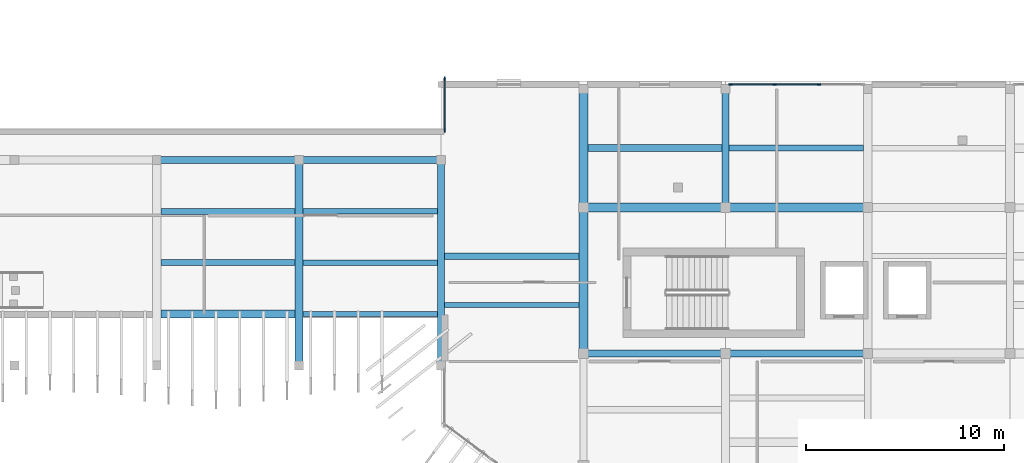
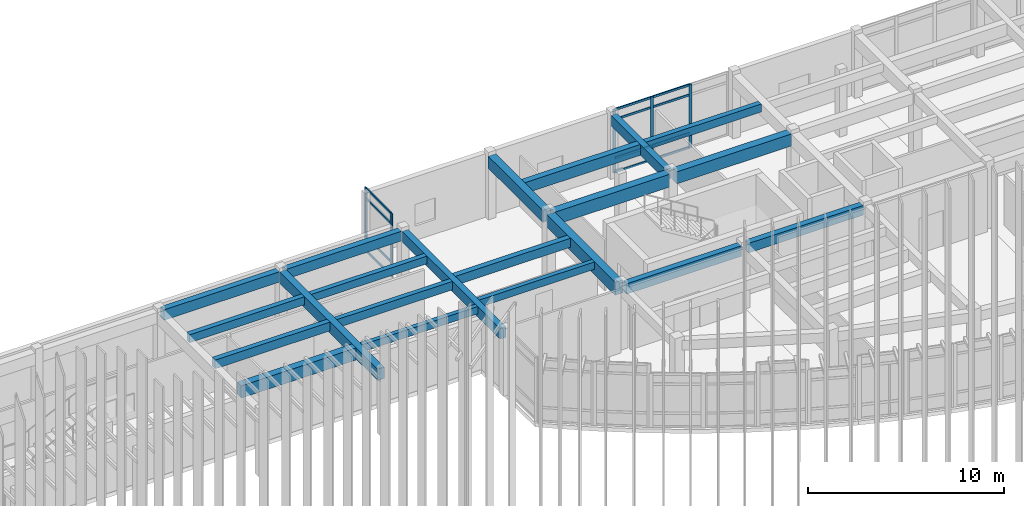
# One storey, part 15 of 47: 21 beams, 17 members, 2 elements without a shape of their own.
"""IFC4 building model written with IfcOpenShell, lengths in metres."""

from ifc_helpers import new_model, si_unit, direction, frame, origin, origin_2d, place, context, subcontext, project, spatial, rectangle, extrude, material, layer, layer_set, material_profile, profile_set, type_object, element, aggregate, save


model = new_model("IFC4")

# Units and contexts
model_context = context("Model", 3, precision=1e-05, world=origin(), true_north=direction((0.0, 1.0)))
body_context = subcontext(model_context, "Body", "Model", "MODEL_VIEW")
ifc_project = project(units=[si_unit("LENGTHUNIT", "METRE"), si_unit("AREAUNIT", "SQUARE_METRE"), si_unit("VOLUMEUNIT", "CUBIC_METRE"), si_unit("PLANEANGLEUNIT", "RADIAN"), si_unit("MASSUNIT", "GRAM", prefix="KILO")], contexts=[model_context])

# Site, building, storey
site_placement = place(None, origin())
site = spatial("IfcSite", under=ifc_project, at=site_placement, CompositionType="ELEMENT")
building_placement = place(site_placement, origin())
building = spatial("IfcBuilding", under=site, at=building_placement, Name="Brisavento Harbour Community Centre", CompositionType="ELEMENT")
storey_placement = place(building_placement, frame((0.0, 0.0, 8.699951171875)))
storey = spatial("IfcBuildingStorey", under=building, at=storey_placement, Name="L02", CompositionType="ELEMENT", Elevation=8.699951171875)

# Beams
ifc_material_1 = material(Name="Concrete C35/45", Category="concrete")
ifc_material_profile_1 = material_profile(ifc_material_1, rectangle(XDim=0.25, YDim=0.449951171875, at=origin_2d()), Name="Concrete C35/45")
ifc_profile_set_1 = profile_set([ifc_material_profile_1], Name="Concrete C35/45")
beam_type_1 = type_object("IfcBeamType", Name="BM-JST-250x450", PredefinedType="JOIST", material=ifc_profile_set_1)
beam_1_placement = place(storey_placement, frame((101.0, 17.0, 3.735107421875), z_axis=(1.0, 0.0, 0.0), x_axis=(0.0, 1.0, 0.0)))
element("IfcBeam", 1, at=beam_1_placement, inside=storey, type_object=beam_type_1, Name="L02 secondary floor joist 0288", PredefinedType="JOIST", context=body_context, shape_type="SweptSolid", body=[
    extrude(rectangle(XDim=0.25, YDim=0.449951171875, at=origin_2d()), origin(), (0.0, 0.0, 1.0), 6.824951171875),
])
ifc_material_profile_2 = material_profile(ifc_material_1, rectangle(XDim=0.260009765625, YDim=0.4599609375, at=origin_2d()), Name="Concrete C35/45")
ifc_profile_set_2 = profile_set([ifc_material_profile_2], Name="Concrete C35/45")
beam_type_2 = type_object("IfcBeamType", Name="BM-JST-260x460", PredefinedType="JOIST", material=ifc_profile_set_2)
beam_2_placement = place(storey_placement, frame((108.175048828125, 17.466796875, 3.72998046875), z_axis=(1.0, 0.0, 0.0), x_axis=(0.0, 1.0, 0.0)))
element("IfcBeam", 2, at=beam_2_placement, inside=storey, type_object=beam_type_2, Name="L02 secondary floor joist 0291", PredefinedType="JOIST", context=body_context, shape_type="SweptSolid", body=[
    extrude(rectangle(XDim=0.260009765625, YDim=0.4599609375, at=origin_2d()), origin(), (0.0, 0.0, 1.0), 6.800048828125),
])
ifc_material_profile_3 = material_profile(ifc_material_1, rectangle(XDim=0.280029296875, YDim=0.47998046875, at=origin_2d()), Name="Concrete C35/45")
ifc_profile_set_3 = profile_set([ifc_material_profile_3], Name="Concrete C35/45")
beam_type_3 = type_object("IfcBeamType", Name="BM-JST-280x480", PredefinedType="JOIST", material=ifc_profile_set_3)
beam_3_placement = place(storey_placement, frame((101.0, 22.199951171875, 3.719970703125), z_axis=(1.0, 0.0, 0.0), x_axis=(0.0, 1.0, 0.0)))
element("IfcBeam", 3, at=beam_3_placement, inside=storey, type_object=beam_type_3, Name="L02 secondary floor joist 0290", PredefinedType="JOIST", context=body_context, shape_type="SweptSolid", body=[
    extrude(rectangle(XDim=0.280029296875, YDim=0.47998046875, at=origin_2d()), origin(), (0.0, 0.0, 1.0), 6.824951171875),
])
ifc_material_profile_4 = material_profile(ifc_material_1, rectangle(XDim=0.280029296875, YDim=0.52001953125, at=origin_2d()), Name="Concrete C35/45")
ifc_profile_set_4 = profile_set([ifc_material_profile_4], Name="Concrete C35/45")
beam_type_4 = type_object("IfcBeamType", Name="BM-JST-280x520", PredefinedType="JOIST", material=ifc_profile_set_4)
beam_4_placement = place(storey_placement, frame((101.0, 19.60009765625, 3.699951171875), z_axis=(1.0, 0.0, 0.0), x_axis=(0.0, 1.0, 0.0)))
element("IfcBeam", 4, at=beam_4_placement, inside=storey, type_object=beam_type_4, Name="L02 secondary floor joist 0289", PredefinedType="JOIST", context=body_context, shape_type="SweptSolid", body=[
    extrude(rectangle(XDim=0.280029296875, YDim=0.52001953125, at=origin_2d()), origin(), (0.0, 0.0, 1.0), 6.824951171875),
])
ifc_material_profile_5 = material_profile(ifc_material_1, rectangle(XDim=0.300048828125, YDim=0.5, at=origin_2d()), Name="Concrete C35/45")
ifc_profile_set_5 = profile_set([ifc_material_profile_5], Name="Concrete C35/45")
beam_type_5 = type_object("IfcBeamType", Name="BM-JST-300x500", PredefinedType="JOIST", material=ifc_profile_set_5)
beam_5_placement = place(storey_placement, frame((93.824951171875, 22.199951171875, 3.7099609375), z_axis=(1.0, 0.0, 0.0), x_axis=(0.0, 1.0, 0.0)))
element("IfcBeam", 5, at=beam_5_placement, inside=storey, type_object=beam_type_5, Name="L02 secondary floor joist 0287", PredefinedType="JOIST", context=body_context, shape_type="SweptSolid", body=[
    extrude(rectangle(XDim=0.300048828125, YDim=0.5, at=origin_2d()), origin(), (0.0, 0.0, 1.0), 6.775146484375),
])
beam_6_placement = place(storey_placement, frame((122.574951171875, 25.39990234375, 3.7099609375), z_axis=(1.0, 0.0, 0.0), x_axis=(0.0, 1.0, 0.0)))
element("IfcBeam", 6, at=beam_6_placement, inside=storey, type_object=beam_type_5, Name="L02 secondary floor joist 0298", PredefinedType="JOIST", context=body_context, shape_type="SweptSolid", body=[
    extrude(rectangle(XDim=0.300048828125, YDim=0.5, at=origin_2d()), origin(), (0.0, 0.0, 1.0), 6.800048828125),
])
ifc_material_profile_6 = material_profile(ifc_material_1, rectangle(XDim=0.300048828125, YDim=0.550048828125, at=origin_2d()), Name="Concrete C35/45")
ifc_profile_set_6 = profile_set([ifc_material_profile_6], Name="Concrete C35/45")
beam_type_6 = type_object("IfcBeamType", Name="BM-JST-300x550", PredefinedType="JOIST", material=ifc_profile_set_6)
beam_7_placement = place(storey_placement, frame((93.824951171875, 19.60009765625, 3.68505859375), z_axis=(1.0, 0.0, 0.0), x_axis=(0.0, 1.0, 0.0)))
element("IfcBeam", 7, at=beam_7_placement, inside=storey, type_object=beam_type_6, Name="L02 secondary floor joist 0286", PredefinedType="JOIST", context=body_context, shape_type="SweptSolid", body=[
    extrude(rectangle(XDim=0.300048828125, YDim=0.550048828125, at=origin_2d()), origin(), (0.0, 0.0, 1.0), 6.775146484375),
])
ifc_material_profile_7 = material_profile(ifc_material_1, rectangle(XDim=0.320068359375, YDim=0.56005859375, at=origin_2d()), Name="Concrete C35/45")
ifc_profile_set_7 = profile_set([ifc_material_profile_7], Name="Concrete C35/45")
beam_type_7 = type_object("IfcBeamType", Name="BM-JST-320x560", PredefinedType="JOIST", material=ifc_profile_set_7)
beam_8_placement = place(storey_placement, frame((108.175048828125, 19.933349609375, 3.679931640625), z_axis=(1.0, 0.0, 0.0), x_axis=(0.0, 1.0, 0.0)))
element("IfcBeam", 8, at=beam_8_placement, inside=storey, type_object=beam_type_7, Name="L02 secondary floor joist 0292", PredefinedType="JOIST", context=body_context, shape_type="SweptSolid", body=[
    extrude(rectangle(XDim=0.320068359375, YDim=0.56005859375, at=origin_2d()), origin(), (0.0, 0.0, 1.0), 6.800048828125),
])
ifc_material_profile_8 = material_profile(ifc_material_1, rectangle(XDim=0.360107421875, YDim=0.679931640625, at=origin_2d()), Name="Concrete C35/45")
ifc_profile_set_8 = profile_set([ifc_material_profile_8], Name="Concrete C35/45")
beam_type_8 = type_object("IfcBeamType", Name="BM-JST-360x680", PredefinedType="JOIST", material=ifc_profile_set_8)
beam_9_placement = place(storey_placement, frame((115.425048828125, 25.39990234375, 3.6201171875), z_axis=(1.0, 0.0, 0.0), x_axis=(0.0, 1.0, 0.0)))
element("IfcBeam", 9, at=beam_9_placement, inside=storey, type_object=beam_type_8, Name="L02 secondary floor joist 0294", PredefinedType="JOIST", context=body_context, shape_type="SweptSolid", body=[
    extrude(rectangle(XDim=0.360107421875, YDim=0.679931640625, at=origin_2d()), origin(), (0.0, 0.0, 1.0), 6.800048828125),
])
ifc_material_profile_9 = material_profile(ifc_material_1, rectangle(XDim=0.419921875, YDim=0.760009765625, at=origin_2d()), Name="Concrete C35/45")
ifc_profile_set_9 = profile_set([ifc_material_profile_9], Name="Concrete C35/45")
beam_type_9 = type_object("IfcBeamType", Name="BM-JST-420x760", PredefinedType="JOIST", material=ifc_profile_set_9)
beam_10_placement = place(storey_placement, frame((93.824951171875, 17.0, 3.580078125), z_axis=(1.0, 0.0, 0.0), x_axis=(0.0, 1.0, 0.0)))
element("IfcBeam", 10, at=beam_10_placement, inside=storey, type_object=beam_type_9, Name="L02 secondary floor joist 0285", PredefinedType="JOIST", context=body_context, shape_type="SweptSolid", body=[
    extrude(rectangle(XDim=0.419921875, YDim=0.760009765625, at=origin_2d()), origin(), (0.0, 0.0, 1.0), 6.775146484375),
])
ifc_material_profile_10 = material_profile(ifc_material_1, rectangle(XDim=0.35009765625, YDim=0.60009765625, at=origin_2d()), Name="Concrete C35/45")
ifc_profile_set_10 = profile_set([ifc_material_profile_10], Name="Concrete C35/45")
beam_type_10 = type_object("IfcBeamType", Name="BM-RC-350x600", PredefinedType="BEAM", material=ifc_profile_set_10)
beam_11_placement = place(storey_placement, frame((122.6201171875, 15.0, 3.66015625), z_axis=(1.0, 0.0, 0.0), x_axis=(0.0, 1.0, 0.0)))
element("IfcBeam", 11, at=beam_11_placement, inside=storey, type_object=beam_type_10, Name="L02 primary girder X0549", PredefinedType="BEAM", context=body_context, shape_type="SweptSolid", body=[
    extrude(rectangle(XDim=0.35009765625, YDim=0.60009765625, at=origin_2d()), origin(), (0.0, 0.0, 1.0), 6.759765625),
])
beam_12_placement = place(storey_placement, frame((100.9951171875, 24.800048828125, 3.66015625), z_axis=(1.0, 0.0, 0.0), x_axis=(0.0, 1.0, 0.0)))
element("IfcBeam", 12, at=beam_12_placement, inside=storey, type_object=beam_type_10, Name="L02 primary girder X0569", PredefinedType="BEAM", context=body_context, shape_type="SweptSolid", body=[
    extrude(rectangle(XDim=0.35009765625, YDim=0.60009765625, at=origin_2d()), origin(), (0.0, 0.0, 1.0), 6.809814453125),
])
ifc_material_profile_11 = material_profile(ifc_material_1, rectangle(XDim=0.35009765625, YDim=0.64990234375, at=origin_2d()), Name="Concrete C35/45")
ifc_profile_set_11 = profile_set([ifc_material_profile_11], Name="Concrete C35/45")
beam_type_11 = type_object("IfcBeamType", Name="BM-RC-350x650", PredefinedType="BEAM", material=ifc_profile_set_11)
beam_13_placement = place(storey_placement, frame((115.419921875, 15.0, 3.635009765625), z_axis=(1.0, 0.0, 0.0), x_axis=(0.0, 1.0, 0.0)))
element("IfcBeam", 13, at=beam_13_placement, inside=storey, type_object=beam_type_11, Name="L02 primary girder X0548", PredefinedType="BEAM", context=body_context, shape_type="SweptSolid", body=[
    extrude(rectangle(XDim=0.35009765625, YDim=0.64990234375, at=origin_2d()), origin(), (0.0, 0.0, 1.0), 6.760009765625),
])
beam_14_placement = place(storey_placement, frame((93.794921875, 24.800048828125, 3.635009765625), z_axis=(1.0, 0.0, 0.0), x_axis=(0.0, 1.0, 0.0)))
element("IfcBeam", 14, at=beam_14_placement, inside=storey, type_object=beam_type_11, Name="L02 primary girder X0568", PredefinedType="BEAM", context=body_context, shape_type="SweptSolid", body=[
    extrude(rectangle(XDim=0.35009765625, YDim=0.64990234375, at=origin_2d()), origin(), (0.0, 0.0, 1.0), 6.81005859375),
])
beam_15_placement = place(storey_placement, frame((108.0, 14.594970703125, 3.635009765625), z_axis=(0.0, 1.0, 0.0), x_axis=(-1.0, 0.0, 0.0)))
element("IfcBeam", 15, at=beam_15_placement, inside=storey, type_object=beam_type_11, Name="L02 primary girder Y0603", PredefinedType="BEAM", context=body_context, shape_type="SweptSolid", body=[
    extrude(rectangle(XDim=0.35009765625, YDim=0.64990234375, at=origin_2d()), origin(), (0.0, 0.0, 1.0), 10.010009765625),
])
beam_16_placement = place(storey_placement, frame((122.39990234375, 22.6201171875, 3.635009765625), z_axis=(0.0, 1.0, 0.0), x_axis=(-1.0, 0.0, 0.0)))
element("IfcBeam", 16, at=beam_16_placement, inside=storey, type_object=beam_type_11, Name="L02 primary girder Y0608", PredefinedType="BEAM", context=body_context, shape_type="SweptSolid", body=[
    extrude(rectangle(XDim=0.35009765625, YDim=0.64990234375, at=origin_2d()), origin(), (0.0, 0.0, 1.0), 5.5849609375),
])
ifc_material_profile_12 = material_profile(ifc_material_1, rectangle(XDim=0.39990234375, YDim=0.699951171875, at=origin_2d()), Name="Concrete C35/45")
ifc_profile_set_12 = profile_set([ifc_material_profile_12], Name="Concrete C35/45")
beam_type_12 = type_object("IfcBeamType", Name="BM-RC-400x700", PredefinedType="BEAM", material=ifc_profile_set_12)
beam_17_placement = place(storey_placement, frame((100.800048828125, 14.594970703125, 3.610107421875), z_axis=(0.0, 1.0, 0.0), x_axis=(-1.0, 0.0, 0.0)))
element("IfcBeam", 17, at=beam_17_placement, inside=storey, type_object=beam_type_12, Name="L02 primary girder Y0602", PredefinedType="BEAM", context=body_context, shape_type="SweptSolid", body=[
    extrude(rectangle(XDim=0.39990234375, YDim=0.699951171875, at=origin_2d()), origin(), (0.0, 0.0, 1.0), 10.010009765625),
])
ifc_material_profile_13 = material_profile(ifc_material_1, rectangle(XDim=0.449951171875, YDim=0.75, at=origin_2d()), Name="Concrete C35/45")
ifc_profile_set_13 = profile_set([ifc_material_profile_13], Name="Concrete C35/45")
beam_type_13 = type_object("IfcBeamType", Name="BM-RC-450x750", PredefinedType="BEAM", material=ifc_profile_set_13)
beam_18_placement = place(storey_placement, frame((122.6201171875, 22.39990234375, 3.5849609375), z_axis=(1.0, 0.0, 0.0), x_axis=(0.0, 1.0, 0.0)))
element("IfcBeam", 18, at=beam_18_placement, inside=storey, type_object=beam_type_13, Name="L02 primary girder X0556", PredefinedType="BEAM", context=body_context, shape_type="SweptSolid", body=[
    extrude(rectangle(XDim=0.449951171875, YDim=0.75, at=origin_2d()), origin(), (0.0, 0.0, 1.0), 6.759765625),
])
beam_19_placement = place(storey_placement, frame((115.199951171875, 22.6201171875, 3.5849609375), z_axis=(0.0, 1.0, 0.0), x_axis=(-1.0, 0.0, 0.0)))
element("IfcBeam", 19, at=beam_19_placement, inside=storey, type_object=beam_type_13, Name="L02 primary girder Y0606", PredefinedType="BEAM", context=body_context, shape_type="SweptSolid", body=[
    extrude(rectangle(XDim=0.449951171875, YDim=0.75, at=origin_2d()), origin(), (0.0, 0.0, 1.0), 5.5849609375),
])
ifc_material_profile_14 = material_profile(ifc_material_1, rectangle(XDim=0.449951171875, YDim=0.800048828125, at=origin_2d()), Name="Concrete C35/45")
ifc_profile_set_14 = profile_set([ifc_material_profile_14], Name="Concrete C35/45")
beam_type_14 = type_object("IfcBeamType", Name="BM-RC-450x800", PredefinedType="BEAM", material=ifc_profile_set_14)
beam_20_placement = place(storey_placement, frame((115.419921875, 22.39990234375, 3.56005859375), z_axis=(1.0, 0.0, 0.0), x_axis=(0.0, 1.0, 0.0)))
element("IfcBeam", 20, at=beam_20_placement, inside=storey, type_object=beam_type_14, Name="L02 primary girder X0555", PredefinedType="BEAM", context=body_context, shape_type="SweptSolid", body=[
    extrude(rectangle(XDim=0.449951171875, YDim=0.800048828125, at=origin_2d()), origin(), (0.0, 0.0, 1.0), 6.760009765625),
])
beam_21_placement = place(storey_placement, frame((115.199951171875, 15.219970703125, 3.56005859375), z_axis=(0.0, 1.0, 0.0), x_axis=(-1.0, 0.0, 0.0)))
element("IfcBeam", 21, at=beam_21_placement, inside=storey, type_object=beam_type_14, Name="L02 primary girder Y0605", PredefinedType="BEAM", context=body_context, shape_type="SweptSolid", body=[
    extrude(rectangle(XDim=0.449951171875, YDim=0.800048828125, at=origin_2d()), origin(), (0.0, 0.0, 1.0), 6.9599609375),
])

# Curtain wall, members
ifc_material_2 = material(Name="Marine-anodised aluminium AW-6063-T6", Category="aluminium")
ifc_layer_1 = layer(ifc_material_2, 0.179931640625, Name="Marine-anodised aluminium AW-6063-T6")
ifc_layer_set_1 = layer_set([ifc_layer_1], Name="Marine-anodised aluminium AW-6063-T6")
curtain_wall_type_1 = type_object("IfcCurtainWallType", Name="CW-SYS-06", PredefinedType="USERDEFINED", material=ifc_layer_set_1)
curtain_wall_1_placement = place(storey_placement, origin())
curtain_wall_1 = element("IfcCurtainWall", 22, at=curtain_wall_1_placement, inside=storey, type_object=curtain_wall_type_1, Name="L02 V3 unitised curtain wall 146", ObjectType="UNITISED CURTAIN WALL", PredefinedType="USERDEFINED")
ifc_material_profile_15 = material_profile(ifc_material_2, rectangle(XDim=0.070068359375, YDim=0.179931640625, at=origin_2d()), Name="Marine-anodised aluminium AW-6063-T6")
ifc_profile_set_15 = profile_set([ifc_material_profile_15], Name="Marine-anodised aluminium AW-6063-T6")
member_type_1 = type_object("IfcMemberType", Name="CWM-02", PredefinedType="MULLION", material=ifc_profile_set_15)
member_1_placement = place(storey_placement, frame((122.64501953125, 28.6201171875, 0.0), z_axis=(0.0, 0.0, 1.0), x_axis=(0.0, 1.0, 0.0)))
member_1 = element("IfcMember", 23, at=member_1_placement, type_object=member_type_1, Name="CW-06 mullion 1", PredefinedType="MULLION", context=body_context, shape_type="SweptSolid", body=[
    extrude(rectangle(XDim=0.070068359375, YDim=0.179931640625, at=origin_2d()), origin(), (0.0, 0.0, 1.0), 3.9599609375),
])
member_2_placement = place(storey_placement, frame((124.8701171875, 28.6201171875, 0.0), z_axis=(0.0, 0.0, 1.0), x_axis=(0.0, 1.0, 0.0)))
member_2 = element("IfcMember", 24, at=member_2_placement, type_object=member_type_1, Name="CW-06 mullion 2", PredefinedType="MULLION", context=body_context, shape_type="SweptSolid", body=[
    extrude(rectangle(XDim=0.070068359375, YDim=0.179931640625, at=origin_2d()), origin(), (0.0, 0.0, 1.0), 3.9599609375),
])
member_3_placement = place(storey_placement, frame((127.1298828125, 28.6201171875, 0.0), z_axis=(0.0, 0.0, 1.0), x_axis=(0.0, 1.0, 0.0)))
member_3 = element("IfcMember", 25, at=member_3_placement, type_object=member_type_1, Name="CW-06 mullion 3", PredefinedType="MULLION", context=body_context, shape_type="SweptSolid", body=[
    extrude(rectangle(XDim=0.070068359375, YDim=0.179931640625, at=origin_2d()), origin(), (0.0, 0.0, 1.0), 3.9599609375),
])

ifc_layer_2 = layer(ifc_material_2, 0.179931640625, Name="Marine-anodised aluminium AW-6063-T6")
ifc_layer_set_2 = layer_set([ifc_layer_2], Name="Marine-anodised aluminium AW-6063-T6")
curtain_wall_type_2 = type_object("IfcCurtainWallType", Name="CW-SYS-10", PredefinedType="USERDEFINED", material=ifc_layer_set_2)
curtain_wall_2_placement = place(storey_placement, origin())
curtain_wall_2 = element("IfcCurtainWall", 26, at=curtain_wall_2_placement, inside=storey, type_object=curtain_wall_type_2, Name="L02 V3 unitised curtain wall 150", ObjectType="UNITISED CURTAIN WALL", PredefinedType="USERDEFINED")
member_4_placement = place(storey_placement, frame((108.179931640625, 26.284912109375, 0.0), z_axis=(0.0, 0.0, 1.0), x_axis=(-1.0, 0.0, 0.0)))
member_4 = element("IfcMember", 27, at=member_4_placement, type_object=member_type_1, Name="CW-10 mullion 1", PredefinedType="MULLION", context=body_context, shape_type="SweptSolid", body=[
    extrude(rectangle(XDim=0.070068359375, YDim=0.179931640625, at=origin_2d()), origin(), (0.0, 0.0, 1.0), 3.9599609375),
])
member_5_placement = place(storey_placement, frame((108.179931640625, 28.9150390625, 0.0), z_axis=(0.0, 0.0, 1.0), x_axis=(-1.0, 0.0, 0.0)))
member_5 = element("IfcMember", 28, at=member_5_placement, type_object=member_type_1, Name="CW-10 mullion 2", PredefinedType="MULLION", context=body_context, shape_type="SweptSolid", body=[
    extrude(rectangle(XDim=0.070068359375, YDim=0.179931640625, at=origin_2d()), origin(), (0.0, 0.0, 1.0), 3.9599609375),
])

# Member
ifc_material_profile_16 = material_profile(ifc_material_2, rectangle(XDim=0.070068359375, YDim=0.132080078125, at=origin_2d()), Name="Marine-anodised aluminium AW-6063-T6")
ifc_profile_set_16 = profile_set([ifc_material_profile_16], Name="Marine-anodised aluminium AW-6063-T6")
member_type_2 = type_object("IfcMemberType", Name="CWT-02", PredefinedType="USERDEFINED", material=ifc_profile_set_16)
member_6_placement = place(storey_placement, frame((122.679931640625, 28.6201171875, 0.03515625), z_axis=(1.0, 0.0, 0.0), x_axis=(0.0, 1.0, 0.0)))
member_6 = element("IfcMember", 29, at=member_6_placement, type_object=member_type_2, Name="CW-06 transom 1.1", ObjectType="TRANSOM", PredefinedType="USERDEFINED", context=body_context, shape_type="SweptSolid", body=[
    extrude(rectangle(XDim=0.070068359375, YDim=0.132080078125, at=origin_2d()), origin(), (0.0, 0.0, 1.0), 2.155029296875),
])

member_7_placement = place(storey_placement, frame((122.679931640625, 28.6201171875, 0.900146484375), z_axis=(1.0, 0.0, 0.0), x_axis=(0.0, 1.0, 0.0)))
member_7 = element("IfcMember", 30, at=member_7_placement, type_object=member_type_2, Name="CW-06 transom 1.2", ObjectType="TRANSOM", PredefinedType="USERDEFINED", context=body_context, shape_type="SweptSolid", body=[
    extrude(rectangle(XDim=0.070068359375, YDim=0.132080078125, at=origin_2d()), origin(), (0.0, 0.0, 1.0), 2.155029296875),
])

member_8_placement = place(storey_placement, frame((122.679931640625, 28.6201171875, 3.31005859375), z_axis=(1.0, 0.0, 0.0), x_axis=(0.0, 1.0, 0.0)))
member_8 = element("IfcMember", 31, at=member_8_placement, type_object=member_type_2, Name="CW-06 transom 1.3", ObjectType="TRANSOM", PredefinedType="USERDEFINED", context=body_context, shape_type="SweptSolid", body=[
    extrude(rectangle(XDim=0.070068359375, YDim=0.132080078125, at=origin_2d()), origin(), (0.0, 0.0, 1.0), 2.155029296875),
])

member_9_placement = place(storey_placement, frame((122.679931640625, 28.6201171875, 3.925048828125), z_axis=(1.0, 0.0, 0.0), x_axis=(0.0, 1.0, 0.0)))
member_9 = element("IfcMember", 32, at=member_9_placement, type_object=member_type_2, Name="CW-06 transom 1.4", ObjectType="TRANSOM", PredefinedType="USERDEFINED", context=body_context, shape_type="SweptSolid", body=[
    extrude(rectangle(XDim=0.070068359375, YDim=0.132080078125, at=origin_2d()), origin(), (0.0, 0.0, 1.0), 2.155029296875),
])

member_10_placement = place(storey_placement, frame((124.905029296875, 28.6201171875, 0.03515625), z_axis=(1.0, 0.0, 0.0), x_axis=(0.0, 1.0, 0.0)))
member_10 = element("IfcMember", 33, at=member_10_placement, type_object=member_type_2, Name="CW-06 transom 2.1", ObjectType="TRANSOM", PredefinedType="USERDEFINED", context=body_context, shape_type="SweptSolid", body=[
    extrude(rectangle(XDim=0.070068359375, YDim=0.132080078125, at=origin_2d()), origin(), (0.0, 0.0, 1.0), 2.18994140625),
])

member_11_placement = place(storey_placement, frame((124.905029296875, 28.6201171875, 0.900146484375), z_axis=(1.0, 0.0, 0.0), x_axis=(0.0, 1.0, 0.0)))
member_11 = element("IfcMember", 34, at=member_11_placement, type_object=member_type_2, Name="CW-06 transom 2.2", ObjectType="TRANSOM", PredefinedType="USERDEFINED", context=body_context, shape_type="SweptSolid", body=[
    extrude(rectangle(XDim=0.070068359375, YDim=0.132080078125, at=origin_2d()), origin(), (0.0, 0.0, 1.0), 2.18994140625),
])

member_12_placement = place(storey_placement, frame((124.905029296875, 28.6201171875, 3.31005859375), z_axis=(1.0, 0.0, 0.0), x_axis=(0.0, 1.0, 0.0)))
member_12 = element("IfcMember", 35, at=member_12_placement, type_object=member_type_2, Name="CW-06 transom 2.3", ObjectType="TRANSOM", PredefinedType="USERDEFINED", context=body_context, shape_type="SweptSolid", body=[
    extrude(rectangle(XDim=0.070068359375, YDim=0.132080078125, at=origin_2d()), origin(), (0.0, 0.0, 1.0), 2.18994140625),
])

member_13_placement = place(storey_placement, frame((124.905029296875, 28.6201171875, 3.925048828125), z_axis=(1.0, 0.0, 0.0), x_axis=(0.0, 1.0, 0.0)))
member_13 = element("IfcMember", 36, at=member_13_placement, type_object=member_type_2, Name="CW-06 transom 2.4", ObjectType="TRANSOM", PredefinedType="USERDEFINED", context=body_context, shape_type="SweptSolid", body=[
    extrude(rectangle(XDim=0.070068359375, YDim=0.132080078125, at=origin_2d()), origin(), (0.0, 0.0, 1.0), 2.18994140625),
])

aggregate(curtain_wall_1, [member_1, member_2, member_3, member_6, member_7, member_8, member_9, member_10, member_11, member_12, member_13])

member_14_placement = place(storey_placement, frame((108.179931640625, 26.320068359375, 0.03515625), z_axis=(0.0, 1.0, 0.0), x_axis=(-1.0, 0.0, 0.0)))
member_14 = element("IfcMember", 37, at=member_14_placement, type_object=member_type_2, Name="CW-10 transom 1.1", ObjectType="TRANSOM", PredefinedType="USERDEFINED", context=body_context, shape_type="SweptSolid", body=[
    extrude(rectangle(XDim=0.070068359375, YDim=0.132080078125, at=origin_2d()), origin(), (0.0, 0.0, 1.0), 2.559814453125),
])

member_15_placement = place(storey_placement, frame((108.179931640625, 26.320068359375, 0.900146484375), z_axis=(0.0, 1.0, 0.0), x_axis=(-1.0, 0.0, 0.0)))
member_15 = element("IfcMember", 38, at=member_15_placement, type_object=member_type_2, Name="CW-10 transom 1.2", ObjectType="TRANSOM", PredefinedType="USERDEFINED", context=body_context, shape_type="SweptSolid", body=[
    extrude(rectangle(XDim=0.070068359375, YDim=0.132080078125, at=origin_2d()), origin(), (0.0, 0.0, 1.0), 2.559814453125),
])

member_16_placement = place(storey_placement, frame((108.179931640625, 26.320068359375, 3.31005859375), z_axis=(0.0, 1.0, 0.0), x_axis=(-1.0, 0.0, 0.0)))
member_16 = element("IfcMember", 39, at=member_16_placement, type_object=member_type_2, Name="CW-10 transom 1.3", ObjectType="TRANSOM", PredefinedType="USERDEFINED", context=body_context, shape_type="SweptSolid", body=[
    extrude(rectangle(XDim=0.070068359375, YDim=0.132080078125, at=origin_2d()), origin(), (0.0, 0.0, 1.0), 2.559814453125),
])

member_17_placement = place(storey_placement, frame((108.179931640625, 26.320068359375, 3.925048828125), z_axis=(0.0, 1.0, 0.0), x_axis=(-1.0, 0.0, 0.0)))
member_17 = element("IfcMember", 40, at=member_17_placement, type_object=member_type_2, Name="CW-10 transom 1.4", ObjectType="TRANSOM", PredefinedType="USERDEFINED", context=body_context, shape_type="SweptSolid", body=[
    extrude(rectangle(XDim=0.070068359375, YDim=0.132080078125, at=origin_2d()), origin(), (0.0, 0.0, 1.0), 2.559814453125),
])

aggregate(curtain_wall_2, [member_4, member_5, member_14, member_15, member_16, member_17])

save(model, "model.ifc")
